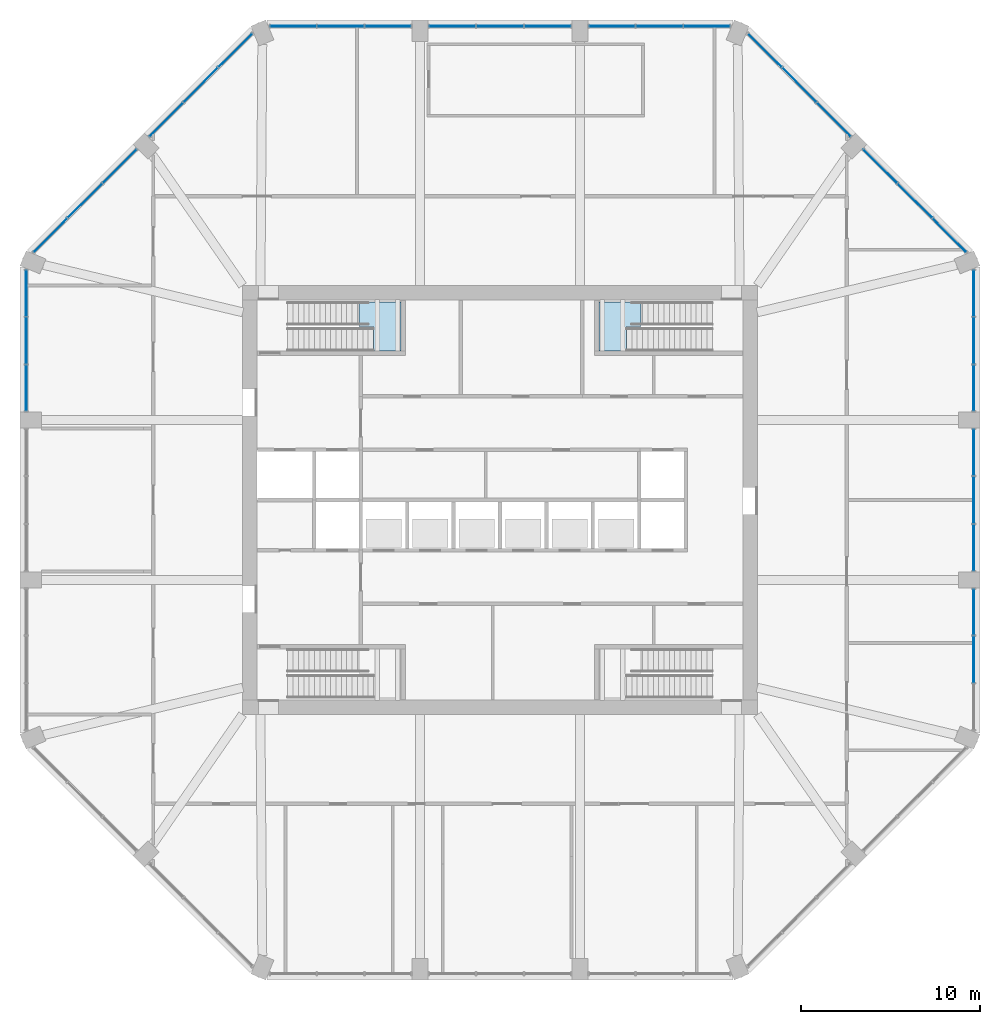
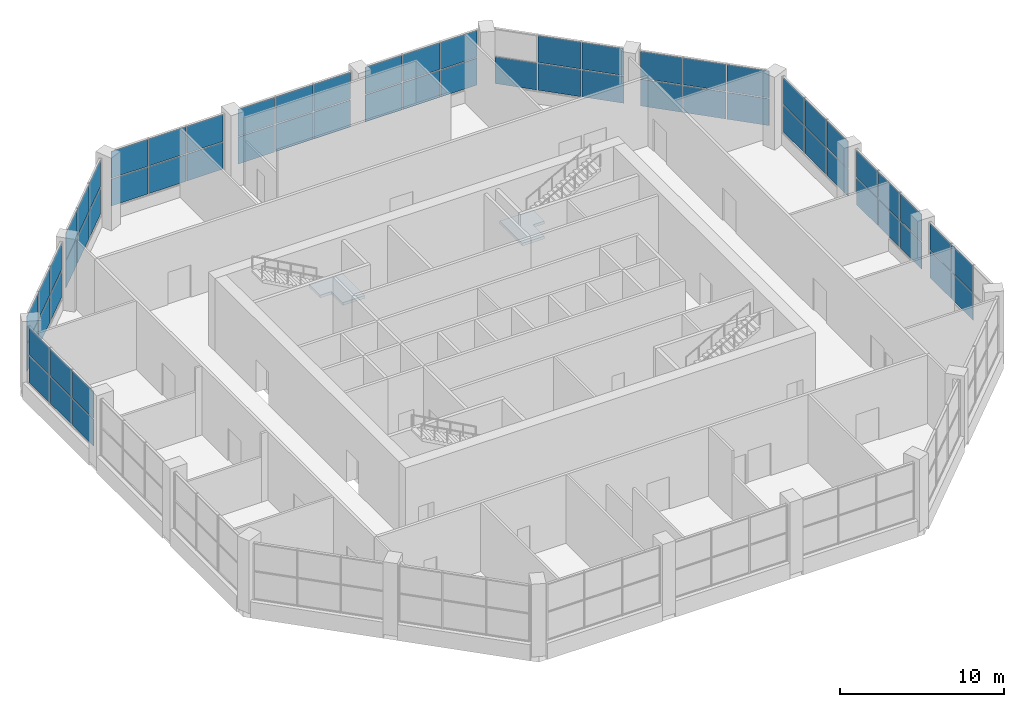
# One storey, part 10 of 16: 63 plates, 2 slabs, 13 elements without a shape of their own.
"""IFC4 building model written with IfcOpenShell, lengths in metres."""

from ifc_helpers import new_model, si_unit, direction, frame, origin, origin_2d, place, context, subcontext, project, spatial, polyline, rectangle, outline, extrude, material, layer, layer_set, type_object, element, aggregate, save


model = new_model("IFC4")

# Units and contexts
model_context = context("Model", 3, precision=1e-05, world=origin(), true_north=direction((0.0, 1.0)))
body_context = subcontext(model_context, "Body", "Model", "MODEL_VIEW")
ifc_project = project(units=[si_unit("LENGTHUNIT", "METRE"), si_unit("AREAUNIT", "SQUARE_METRE"), si_unit("VOLUMEUNIT", "CUBIC_METRE"), si_unit("PLANEANGLEUNIT", "RADIAN"), si_unit("MASSUNIT", "GRAM", prefix="KILO")], contexts=[model_context])

# Site, building, storey
site_placement = place(None, origin())
site = spatial("IfcSite", under=ifc_project, at=site_placement, CompositionType="ELEMENT")
building_placement = place(site_placement, origin())
building = spatial("IfcBuilding", under=site, at=building_placement, Name="Msitu Wima Residences", CompositionType="ELEMENT")
storey_placement = place(building_placement, frame((0.0, 0.0, 156.89990234375)))
storey = spatial("IfcBuildingStorey", under=building, at=storey_placement, Name="L36", CompositionType="ELEMENT", Elevation=156.89990234375)

# Curtain wall, plates
ifc_material_1 = material(Name="Anodised aluminium, bronze finish, solar control laminated double glazing", Category="aluminium")
curtain_wall_type = type_object("IfcCurtainWallType", Name="Curtain wall CW2 sky amenity wall", PredefinedType="NOTDEFINED", material=ifc_material_1)
curtain_wall_1_placement = place(storey_placement, origin())
curtain_wall_1 = element("IfcCurtainWall", 1, at=curtain_wall_1_placement, inside=storey, type_object=curtain_wall_type, Name="Curtain wall CW2 L36 E0", PredefinedType="NOTDEFINED")
ifc_material_2 = material(Name="Solar control laminated double glazing", Category="glass")
ifc_layer_1 = layer(ifc_material_2, 0.0400390625)
ifc_layer_set_1 = layer_set([ifc_layer_1], Name="Solar control laminated double glazing")
plate_type = type_object("IfcPlateType", Name="Glass panel CW2 40", PredefinedType="CURTAIN_PANEL", material=ifc_layer_set_1)
plate_1_placement = place(storey_placement, frame((26.5, -8.918701171875, 0.97509765625), z_axis=(0.0, 0.0, 1.0), x_axis=(0.0, 1.0, 0.0)))
plate_1 = element("IfcPlate", 2, at=plate_1_placement, type_object=plate_type, Name="CW2 panel 2.1", PredefinedType="CURTAIN_PANEL", context=body_context, shape_type="SweptSolid", body=[
    extrude(rectangle(XDim=2.591796875, YDim=0.0400390625, at=origin_2d()), origin(), (0.0, 0.0, 1.0), 1.987548828125),
])
plate_2_placement = place(storey_placement, frame((26.5, -8.918701171875, 3.03759765625), z_axis=(0.0, 0.0, 1.0), x_axis=(0.0, 1.0, 0.0)))
plate_2 = element("IfcPlate", 3, at=plate_2_placement, type_object=plate_type, Name="CW2 panel 2.2", PredefinedType="CURTAIN_PANEL", context=body_context, shape_type="SweptSolid", body=[
    extrude(rectangle(XDim=2.591796875, YDim=0.0400390625, at=origin_2d()), origin(), (0.0, 0.0, 1.0), 1.987548828125),
])
plate_3_placement = place(storey_placement, frame((26.5, -6.270751953125, 0.97509765625), z_axis=(0.0, 0.0, 1.0), x_axis=(0.0, 1.0, 0.0)))
plate_3 = element("IfcPlate", 4, at=plate_3_placement, type_object=plate_type, Name="CW2 panel 3.1", PredefinedType="CURTAIN_PANEL", context=body_context, shape_type="SweptSolid", body=[
    extrude(rectangle(XDim=2.55419921875, YDim=0.0400390625, at=origin_2d()), origin(), (0.0, 0.0, 1.0), 1.987548828125),
])
plate_4_placement = place(storey_placement, frame((26.5, -6.270751953125, 3.03759765625), z_axis=(0.0, 0.0, 1.0), x_axis=(0.0, 1.0, 0.0)))
plate_4 = element("IfcPlate", 5, at=plate_4_placement, type_object=plate_type, Name="CW2 panel 3.2", PredefinedType="CURTAIN_PANEL", context=body_context, shape_type="SweptSolid", body=[
    extrude(rectangle(XDim=2.55419921875, YDim=0.0400390625, at=origin_2d()), origin(), (0.0, 0.0, 1.0), 1.987548828125),
])
aggregate(curtain_wall_1, [plate_1, plate_2, plate_3, plate_4])

curtain_wall_2_placement = place(storey_placement, origin())
curtain_wall_2 = element("IfcCurtainWall", 6, at=curtain_wall_2_placement, inside=storey, type_object=curtain_wall_type, Name="Curtain wall CW2 L36 E1", PredefinedType="NOTDEFINED")
plate_5_placement = place(storey_placement, frame((26.5, -2.660400390625, 0.97509765625), z_axis=(0.0, 0.0, 1.0), x_axis=(0.0, 1.0, 0.0)))
plate_5 = element("IfcPlate", 7, at=plate_5_placement, type_object=plate_type, Name="CW2 panel 1.1", PredefinedType="CURTAIN_PANEL", context=body_context, shape_type="SweptSolid", body=[
    extrude(rectangle(XDim=2.566650390625, YDim=0.0400390625, at=origin_2d()), origin(), (0.0, 0.0, 1.0), 1.987548828125),
])
plate_6_placement = place(storey_placement, frame((26.5, -2.660400390625, 3.03759765625), z_axis=(0.0, 0.0, 1.0), x_axis=(0.0, 1.0, 0.0)))
plate_6 = element("IfcPlate", 8, at=plate_6_placement, type_object=plate_type, Name="CW2 panel 1.2", PredefinedType="CURTAIN_PANEL", context=body_context, shape_type="SweptSolid", body=[
    extrude(rectangle(XDim=2.566650390625, YDim=0.0400390625, at=origin_2d()), origin(), (0.0, 0.0, 1.0), 1.987548828125),
])
plate_7_placement = place(storey_placement, frame((26.5, 0.0, 0.97509765625), z_axis=(0.0, 0.0, 1.0), x_axis=(0.0, 1.0, 0.0)))
plate_7 = element("IfcPlate", 9, at=plate_7_placement, type_object=plate_type, Name="CW2 panel 2.1", PredefinedType="CURTAIN_PANEL", context=body_context, shape_type="SweptSolid", body=[
    extrude(rectangle(XDim=2.60400390625, YDim=0.0400390625, at=origin_2d()), origin(), (0.0, 0.0, 1.0), 1.987548828125),
])
plate_8_placement = place(storey_placement, frame((26.5, 0.0, 3.03759765625), z_axis=(0.0, 0.0, 1.0), x_axis=(0.0, 1.0, 0.0)))
plate_8 = element("IfcPlate", 10, at=plate_8_placement, type_object=plate_type, Name="CW2 panel 2.2", PredefinedType="CURTAIN_PANEL", context=body_context, shape_type="SweptSolid", body=[
    extrude(rectangle(XDim=2.60400390625, YDim=0.0400390625, at=origin_2d()), origin(), (0.0, 0.0, 1.0), 1.987548828125),
])
plate_9_placement = place(storey_placement, frame((26.5, 2.660400390625, 0.97509765625), z_axis=(0.0, 0.0, 1.0), x_axis=(0.0, 1.0, 0.0)))
plate_9 = element("IfcPlate", 11, at=plate_9_placement, type_object=plate_type, Name="CW2 panel 3.1", PredefinedType="CURTAIN_PANEL", context=body_context, shape_type="SweptSolid", body=[
    extrude(rectangle(XDim=2.566650390625, YDim=0.0400390625, at=origin_2d()), origin(), (0.0, 0.0, 1.0), 1.987548828125),
])
plate_10_placement = place(storey_placement, frame((26.5, 2.660400390625, 3.03759765625), z_axis=(0.0, 0.0, 1.0), x_axis=(0.0, 1.0, 0.0)))
plate_10 = element("IfcPlate", 12, at=plate_10_placement, type_object=plate_type, Name="CW2 panel 3.2", PredefinedType="CURTAIN_PANEL", context=body_context, shape_type="SweptSolid", body=[
    extrude(rectangle(XDim=2.566650390625, YDim=0.0400390625, at=origin_2d()), origin(), (0.0, 0.0, 1.0), 1.987548828125),
])
aggregate(curtain_wall_2, [plate_5, plate_6, plate_7, plate_8, plate_9, plate_10])

curtain_wall_3_placement = place(storey_placement, origin())
curtain_wall_3 = element("IfcCurtainWall", 13, at=curtain_wall_3_placement, inside=storey, type_object=curtain_wall_type, Name="Curtain wall CW2 L36 E2", PredefinedType="NOTDEFINED")
plate_11_placement = place(storey_placement, frame((26.5, 6.270751953125, 0.97509765625), z_axis=(0.0, 0.0, 1.0), x_axis=(0.0, 1.0, 0.0)))
plate_11 = element("IfcPlate", 14, at=plate_11_placement, type_object=plate_type, Name="CW2 panel 1.1", PredefinedType="CURTAIN_PANEL", context=body_context, shape_type="SweptSolid", body=[
    extrude(rectangle(XDim=2.55419921875, YDim=0.0400390625, at=origin_2d()), origin(), (0.0, 0.0, 1.0), 1.987548828125),
])
plate_12_placement = place(storey_placement, frame((26.5, 6.270751953125, 3.03759765625), z_axis=(0.0, 0.0, 1.0), x_axis=(0.0, 1.0, 0.0)))
plate_12 = element("IfcPlate", 15, at=plate_12_placement, type_object=plate_type, Name="CW2 panel 1.2", PredefinedType="CURTAIN_PANEL", context=body_context, shape_type="SweptSolid", body=[
    extrude(rectangle(XDim=2.55419921875, YDim=0.0400390625, at=origin_2d()), origin(), (0.0, 0.0, 1.0), 1.987548828125),
])
plate_13_placement = place(storey_placement, frame((26.5, 8.918701171875, 0.97509765625), z_axis=(0.0, 0.0, 1.0), x_axis=(0.0, 1.0, 0.0)))
plate_13 = element("IfcPlate", 16, at=plate_13_placement, type_object=plate_type, Name="CW2 panel 2.1", PredefinedType="CURTAIN_PANEL", context=body_context, shape_type="SweptSolid", body=[
    extrude(rectangle(XDim=2.591796875, YDim=0.0400390625, at=origin_2d()), origin(), (0.0, 0.0, 1.0), 1.987548828125),
])
plate_14_placement = place(storey_placement, frame((26.5, 8.918701171875, 3.03759765625), z_axis=(0.0, 0.0, 1.0), x_axis=(0.0, 1.0, 0.0)))
plate_14 = element("IfcPlate", 17, at=plate_14_placement, type_object=plate_type, Name="CW2 panel 2.2", PredefinedType="CURTAIN_PANEL", context=body_context, shape_type="SweptSolid", body=[
    extrude(rectangle(XDim=2.591796875, YDim=0.0400390625, at=origin_2d()), origin(), (0.0, 0.0, 1.0), 1.987548828125),
])
plate_15_placement = place(storey_placement, frame((26.5, 11.566650390625, 0.97509765625), z_axis=(0.0, 0.0, 1.0), x_axis=(0.0, 1.0, 0.0)))
plate_15 = element("IfcPlate", 18, at=plate_15_placement, type_object=plate_type, Name="CW2 panel 3.1", PredefinedType="CURTAIN_PANEL", context=body_context, shape_type="SweptSolid", body=[
    extrude(rectangle(XDim=2.55419921875, YDim=0.0400390625, at=origin_2d()), origin(), (0.0, 0.0, 1.0), 1.987548828125),
])
plate_16_placement = place(storey_placement, frame((26.5, 11.566650390625, 3.03759765625), z_axis=(0.0, 0.0, 1.0), x_axis=(0.0, 1.0, 0.0)))
plate_16 = element("IfcPlate", 19, at=plate_16_placement, type_object=plate_type, Name="CW2 panel 3.2", PredefinedType="CURTAIN_PANEL", context=body_context, shape_type="SweptSolid", body=[
    extrude(rectangle(XDim=2.55419921875, YDim=0.0400390625, at=origin_2d()), origin(), (0.0, 0.0, 1.0), 1.987548828125),
])
aggregate(curtain_wall_3, [plate_11, plate_12, plate_13, plate_14, plate_15, plate_16])

curtain_wall_4_placement = place(storey_placement, origin())
curtain_wall_4 = element("IfcCurtainWall", 20, at=curtain_wall_4_placement, inside=storey, type_object=curtain_wall_type, Name="Curtain wall CW2 L36 NE0", PredefinedType="NOTDEFINED")
plate_17_placement = place(storey_placement, frame((25.140625, 14.806640625, 0.97509765625), z_axis=(0.0, 0.0, 1.0), x_axis=(-0.707106720591, 0.707106841783, 0.0)))
plate_17 = element("IfcPlate", 21, at=plate_17_placement, type_object=plate_type, Name="CW2 panel 1.1", PredefinedType="CURTAIN_PANEL", context=body_context, shape_type="SweptSolid", body=[
    extrude(rectangle(XDim=2.637939453125, YDim=0.0400390625, at=origin_2d()), origin(), (0.0, 0.0, 1.0), 1.987548828125),
])
plate_18_placement = place(storey_placement, frame((25.140625, 14.806640625, 3.03759765625), z_axis=(0.0, 0.0, 1.0), x_axis=(-0.707106720591, 0.707106841783, 0.0)))
plate_18 = element("IfcPlate", 22, at=plate_18_placement, type_object=plate_type, Name="CW2 panel 1.2", PredefinedType="CURTAIN_PANEL", context=body_context, shape_type="SweptSolid", body=[
    extrude(rectangle(XDim=2.637939453125, YDim=0.0400390625, at=origin_2d()), origin(), (0.0, 0.0, 1.0), 1.987548828125),
])
plate_19_placement = place(storey_placement, frame((23.208984375, 16.73828125, 0.97509765625), z_axis=(0.0, 0.0, 1.0), x_axis=(-0.707106720591, 0.707106841783, 0.0)))
plate_19 = element("IfcPlate", 23, at=plate_19_placement, type_object=plate_type, Name="CW2 panel 2.1", PredefinedType="CURTAIN_PANEL", context=body_context, shape_type="SweptSolid", body=[
    extrude(rectangle(XDim=2.67529296875, YDim=0.0400390625, at=origin_2d()), origin(), (0.0, 0.0, 1.0), 1.987548828125),
])
plate_20_placement = place(storey_placement, frame((23.208984375, 16.73828125, 3.03759765625), z_axis=(0.0, 0.0, 1.0), x_axis=(-0.707106720591, 0.707106841783, 0.0)))
plate_20 = element("IfcPlate", 24, at=plate_20_placement, type_object=plate_type, Name="CW2 panel 2.2", PredefinedType="CURTAIN_PANEL", context=body_context, shape_type="SweptSolid", body=[
    extrude(rectangle(XDim=2.67529296875, YDim=0.0400390625, at=origin_2d()), origin(), (0.0, 0.0, 1.0), 1.987548828125),
])
plate_21_placement = place(storey_placement, frame((21.277587890625, 18.669677734375, 0.97509765625), z_axis=(0.0, 0.0, 1.0), x_axis=(-0.707106720591, 0.707106841783, 0.0)))
plate_21 = element("IfcPlate", 25, at=plate_21_placement, type_object=plate_type, Name="CW2 panel 3.1", PredefinedType="CURTAIN_PANEL", context=body_context, shape_type="SweptSolid", body=[
    extrude(rectangle(XDim=2.637939453125, YDim=0.0400390625, at=origin_2d()), origin(), (0.0, 0.0, 1.0), 1.987548828125),
])
plate_22_placement = place(storey_placement, frame((21.277587890625, 18.669677734375, 3.03759765625), z_axis=(0.0, 0.0, 1.0), x_axis=(-0.707106720591, 0.707106841783, 0.0)))
plate_22 = element("IfcPlate", 26, at=plate_22_placement, type_object=plate_type, Name="CW2 panel 3.2", PredefinedType="CURTAIN_PANEL", context=body_context, shape_type="SweptSolid", body=[
    extrude(rectangle(XDim=2.637939453125, YDim=0.0400390625, at=origin_2d()), origin(), (0.0, 0.0, 1.0), 1.987548828125),
])
aggregate(curtain_wall_4, [plate_17, plate_18, plate_19, plate_20, plate_21, plate_22])

curtain_wall_5_placement = place(storey_placement, origin())
curtain_wall_5 = element("IfcCurtainWall", 27, at=curtain_wall_5_placement, inside=storey, type_object=curtain_wall_type, Name="Curtain wall CW2 L36 NE1", PredefinedType="NOTDEFINED")
plate_23_placement = place(storey_placement, frame((18.669677734375, 21.277587890625, 0.97509765625), z_axis=(0.0, 0.0, 1.0), x_axis=(-0.707106781187, 0.707106781187, 0.0)))
plate_23 = element("IfcPlate", 28, at=plate_23_placement, type_object=plate_type, Name="CW2 panel 1.1", PredefinedType="CURTAIN_PANEL", context=body_context, shape_type="SweptSolid", body=[
    extrude(rectangle(XDim=2.637939453125, YDim=0.0400390625, at=origin_2d()), origin(), (0.0, 0.0, 1.0), 1.987548828125),
])
plate_24_placement = place(storey_placement, frame((18.669677734375, 21.277587890625, 3.03759765625), z_axis=(0.0, 0.0, 1.0), x_axis=(-0.707106781187, 0.707106781187, 0.0)))
plate_24 = element("IfcPlate", 29, at=plate_24_placement, type_object=plate_type, Name="CW2 panel 1.2", PredefinedType="CURTAIN_PANEL", context=body_context, shape_type="SweptSolid", body=[
    extrude(rectangle(XDim=2.637939453125, YDim=0.0400390625, at=origin_2d()), origin(), (0.0, 0.0, 1.0), 1.987548828125),
])
plate_25_placement = place(storey_placement, frame((16.73828125, 23.208984375, 0.97509765625), z_axis=(0.0, 0.0, 1.0), x_axis=(-0.707106781187, 0.707106781187, 0.0)))
plate_25 = element("IfcPlate", 30, at=plate_25_placement, type_object=plate_type, Name="CW2 panel 2.1", PredefinedType="CURTAIN_PANEL", context=body_context, shape_type="SweptSolid", body=[
    extrude(rectangle(XDim=2.67529296875, YDim=0.0400390625, at=origin_2d()), origin(), (0.0, 0.0, 1.0), 1.987548828125),
])
plate_26_placement = place(storey_placement, frame((16.73828125, 23.208984375, 3.03759765625), z_axis=(0.0, 0.0, 1.0), x_axis=(-0.707106781187, 0.707106781187, 0.0)))
plate_26 = element("IfcPlate", 31, at=plate_26_placement, type_object=plate_type, Name="CW2 panel 2.2", PredefinedType="CURTAIN_PANEL", context=body_context, shape_type="SweptSolid", body=[
    extrude(rectangle(XDim=2.67529296875, YDim=0.0400390625, at=origin_2d()), origin(), (0.0, 0.0, 1.0), 1.987548828125),
])
plate_27_placement = place(storey_placement, frame((14.806640625, 25.140625, 0.97509765625), z_axis=(0.0, 0.0, 1.0), x_axis=(-0.707106781187, 0.707106781187, 0.0)))
plate_27 = element("IfcPlate", 32, at=plate_27_placement, type_object=plate_type, Name="CW2 panel 3.1", PredefinedType="CURTAIN_PANEL", context=body_context, shape_type="SweptSolid", body=[
    extrude(rectangle(XDim=2.637939453125, YDim=0.0400390625, at=origin_2d()), origin(), (0.0, 0.0, 1.0), 1.987548828125),
])
aggregate(curtain_wall_5, [plate_23, plate_24, plate_25, plate_26, plate_27])

curtain_wall_6_placement = place(storey_placement, origin())
curtain_wall_6 = element("IfcCurtainWall", 33, at=curtain_wall_6_placement, inside=storey, type_object=curtain_wall_type, Name="Curtain wall CW2 L36 N0", PredefinedType="NOTDEFINED")
plate_28_placement = place(storey_placement, frame((11.566650390625, 26.5, 0.97509765625), z_axis=(0.0, 0.0, 1.0), x_axis=(-1.0, 0.0, 0.0)))
plate_28 = element("IfcPlate", 34, at=plate_28_placement, type_object=plate_type, Name="CW2 panel 1.1", PredefinedType="CURTAIN_PANEL", context=body_context, shape_type="SweptSolid", body=[
    extrude(rectangle(XDim=2.55419921875, YDim=0.0400390625, at=origin_2d()), origin(), (0.0, 0.0, 1.0), 1.987548828125),
])
plate_29_placement = place(storey_placement, frame((11.566650390625, 26.5, 3.03759765625), z_axis=(0.0, 0.0, 1.0), x_axis=(-1.0, 0.0, 0.0)))
plate_29 = element("IfcPlate", 35, at=plate_29_placement, type_object=plate_type, Name="CW2 panel 1.2", PredefinedType="CURTAIN_PANEL", context=body_context, shape_type="SweptSolid", body=[
    extrude(rectangle(XDim=2.55419921875, YDim=0.0400390625, at=origin_2d()), origin(), (0.0, 0.0, 1.0), 1.987548828125),
])
plate_30_placement = place(storey_placement, frame((8.918701171875, 26.5, 0.97509765625), z_axis=(0.0, 0.0, 1.0), x_axis=(-1.0, 0.0, 0.0)))
plate_30 = element("IfcPlate", 36, at=plate_30_placement, type_object=plate_type, Name="CW2 panel 2.1", PredefinedType="CURTAIN_PANEL", context=body_context, shape_type="SweptSolid", body=[
    extrude(rectangle(XDim=2.591796875, YDim=0.0400390625, at=origin_2d()), origin(), (0.0, 0.0, 1.0), 1.987548828125),
])
plate_31_placement = place(storey_placement, frame((8.918701171875, 26.5, 3.03759765625), z_axis=(0.0, 0.0, 1.0), x_axis=(-1.0, 0.0, 0.0)))
plate_31 = element("IfcPlate", 37, at=plate_31_placement, type_object=plate_type, Name="CW2 panel 2.2", PredefinedType="CURTAIN_PANEL", context=body_context, shape_type="SweptSolid", body=[
    extrude(rectangle(XDim=2.591796875, YDim=0.0400390625, at=origin_2d()), origin(), (0.0, 0.0, 1.0), 1.987548828125),
])
plate_32_placement = place(storey_placement, frame((6.270751953125, 26.5, 0.97509765625), z_axis=(0.0, 0.0, 1.0), x_axis=(-1.0, 0.0, 0.0)))
plate_32 = element("IfcPlate", 38, at=plate_32_placement, type_object=plate_type, Name="CW2 panel 3.1", PredefinedType="CURTAIN_PANEL", context=body_context, shape_type="SweptSolid", body=[
    extrude(rectangle(XDim=2.55419921875, YDim=0.0400390625, at=origin_2d()), origin(), (0.0, 0.0, 1.0), 1.987548828125),
])
plate_33_placement = place(storey_placement, frame((6.270751953125, 26.5, 3.03759765625), z_axis=(0.0, 0.0, 1.0), x_axis=(-1.0, 0.0, 0.0)))
plate_33 = element("IfcPlate", 39, at=plate_33_placement, type_object=plate_type, Name="CW2 panel 3.2", PredefinedType="CURTAIN_PANEL", context=body_context, shape_type="SweptSolid", body=[
    extrude(rectangle(XDim=2.55419921875, YDim=0.0400390625, at=origin_2d()), origin(), (0.0, 0.0, 1.0), 1.987548828125),
])
aggregate(curtain_wall_6, [plate_28, plate_29, plate_30, plate_31, plate_32, plate_33])

curtain_wall_7_placement = place(storey_placement, origin())
curtain_wall_7 = element("IfcCurtainWall", 40, at=curtain_wall_7_placement, inside=storey, type_object=curtain_wall_type, Name="Curtain wall CW2 L36 N1", PredefinedType="NOTDEFINED")
plate_34_placement = place(storey_placement, frame((2.660400390625, 26.5, 0.97509765625), z_axis=(0.0, 0.0, 1.0), x_axis=(-1.0, 0.0, 0.0)))
plate_34 = element("IfcPlate", 41, at=plate_34_placement, type_object=plate_type, Name="CW2 panel 1.1", PredefinedType="CURTAIN_PANEL", context=body_context, shape_type="SweptSolid", body=[
    extrude(rectangle(XDim=2.566650390625, YDim=0.0400390625, at=origin_2d()), origin(), (0.0, 0.0, 1.0), 1.987548828125),
])
plate_35_placement = place(storey_placement, frame((2.660400390625, 26.5, 3.03759765625), z_axis=(0.0, 0.0, 1.0), x_axis=(-1.0, 0.0, 0.0)))
plate_35 = element("IfcPlate", 42, at=plate_35_placement, type_object=plate_type, Name="CW2 panel 1.2", PredefinedType="CURTAIN_PANEL", context=body_context, shape_type="SweptSolid", body=[
    extrude(rectangle(XDim=2.566650390625, YDim=0.0400390625, at=origin_2d()), origin(), (0.0, 0.0, 1.0), 1.987548828125),
])
plate_36_placement = place(storey_placement, frame((0.0, 26.5, 0.97509765625), z_axis=(0.0, 0.0, 1.0), x_axis=(-1.0, 0.0, 0.0)))
plate_36 = element("IfcPlate", 43, at=plate_36_placement, type_object=plate_type, Name="CW2 panel 2.1", PredefinedType="CURTAIN_PANEL", context=body_context, shape_type="SweptSolid", body=[
    extrude(rectangle(XDim=2.60400390625, YDim=0.0400390625, at=origin_2d()), origin(), (0.0, 0.0, 1.0), 1.987548828125),
])
plate_37_placement = place(storey_placement, frame((0.0, 26.5, 3.03759765625), z_axis=(0.0, 0.0, 1.0), x_axis=(-1.0, 0.0, 0.0)))
plate_37 = element("IfcPlate", 44, at=plate_37_placement, type_object=plate_type, Name="CW2 panel 2.2", PredefinedType="CURTAIN_PANEL", context=body_context, shape_type="SweptSolid", body=[
    extrude(rectangle(XDim=2.60400390625, YDim=0.0400390625, at=origin_2d()), origin(), (0.0, 0.0, 1.0), 1.987548828125),
])
plate_38_placement = place(storey_placement, frame((-2.660400390625, 26.5, 0.97509765625), z_axis=(0.0, 0.0, 1.0), x_axis=(-1.0, 0.0, 0.0)))
plate_38 = element("IfcPlate", 45, at=plate_38_placement, type_object=plate_type, Name="CW2 panel 3.1", PredefinedType="CURTAIN_PANEL", context=body_context, shape_type="SweptSolid", body=[
    extrude(rectangle(XDim=2.566650390625, YDim=0.0400390625, at=origin_2d()), origin(), (0.0, 0.0, 1.0), 1.987548828125),
])
plate_39_placement = place(storey_placement, frame((-2.660400390625, 26.5, 3.03759765625), z_axis=(0.0, 0.0, 1.0), x_axis=(-1.0, 0.0, 0.0)))
plate_39 = element("IfcPlate", 46, at=plate_39_placement, type_object=plate_type, Name="CW2 panel 3.2", PredefinedType="CURTAIN_PANEL", context=body_context, shape_type="SweptSolid", body=[
    extrude(rectangle(XDim=2.566650390625, YDim=0.0400390625, at=origin_2d()), origin(), (0.0, 0.0, 1.0), 1.987548828125),
])
aggregate(curtain_wall_7, [plate_34, plate_35, plate_36, plate_37, plate_38, plate_39])

curtain_wall_8_placement = place(storey_placement, origin())
curtain_wall_8 = element("IfcCurtainWall", 47, at=curtain_wall_8_placement, inside=storey, type_object=curtain_wall_type, Name="Curtain wall CW2 L36 N2", PredefinedType="NOTDEFINED")
plate_40_placement = place(storey_placement, frame((-6.270751953125, 26.5, 0.97509765625), z_axis=(0.0, 0.0, 1.0), x_axis=(-1.0, 0.0, 0.0)))
plate_40 = element("IfcPlate", 48, at=plate_40_placement, type_object=plate_type, Name="CW2 panel 1.1", PredefinedType="CURTAIN_PANEL", context=body_context, shape_type="SweptSolid", body=[
    extrude(rectangle(XDim=2.55419921875, YDim=0.0400390625, at=origin_2d()), origin(), (0.0, 0.0, 1.0), 1.987548828125),
])
plate_41_placement = place(storey_placement, frame((-6.270751953125, 26.5, 3.03759765625), z_axis=(0.0, 0.0, 1.0), x_axis=(-1.0, 0.0, 0.0)))
plate_41 = element("IfcPlate", 49, at=plate_41_placement, type_object=plate_type, Name="CW2 panel 1.2", PredefinedType="CURTAIN_PANEL", context=body_context, shape_type="SweptSolid", body=[
    extrude(rectangle(XDim=2.55419921875, YDim=0.0400390625, at=origin_2d()), origin(), (0.0, 0.0, 1.0), 1.987548828125),
])
plate_42_placement = place(storey_placement, frame((-8.918701171875, 26.5, 0.97509765625), z_axis=(0.0, 0.0, 1.0), x_axis=(-1.0, 0.0, 0.0)))
plate_42 = element("IfcPlate", 50, at=plate_42_placement, type_object=plate_type, Name="CW2 panel 2.1", PredefinedType="CURTAIN_PANEL", context=body_context, shape_type="SweptSolid", body=[
    extrude(rectangle(XDim=2.591796875, YDim=0.0400390625, at=origin_2d()), origin(), (0.0, 0.0, 1.0), 1.987548828125),
])
plate_43_placement = place(storey_placement, frame((-8.918701171875, 26.5, 3.03759765625), z_axis=(0.0, 0.0, 1.0), x_axis=(-1.0, 0.0, 0.0)))
plate_43 = element("IfcPlate", 51, at=plate_43_placement, type_object=plate_type, Name="CW2 panel 2.2", PredefinedType="CURTAIN_PANEL", context=body_context, shape_type="SweptSolid", body=[
    extrude(rectangle(XDim=2.591796875, YDim=0.0400390625, at=origin_2d()), origin(), (0.0, 0.0, 1.0), 1.987548828125),
])
plate_44_placement = place(storey_placement, frame((-11.566650390625, 26.5, 0.97509765625), z_axis=(0.0, 0.0, 1.0), x_axis=(-1.0, 0.0, 0.0)))
plate_44 = element("IfcPlate", 52, at=plate_44_placement, type_object=plate_type, Name="CW2 panel 3.1", PredefinedType="CURTAIN_PANEL", context=body_context, shape_type="SweptSolid", body=[
    extrude(rectangle(XDim=2.55419921875, YDim=0.0400390625, at=origin_2d()), origin(), (0.0, 0.0, 1.0), 1.987548828125),
])
plate_45_placement = place(storey_placement, frame((-11.566650390625, 26.5, 3.03759765625), z_axis=(0.0, 0.0, 1.0), x_axis=(-1.0, 0.0, 0.0)))
plate_45 = element("IfcPlate", 53, at=plate_45_placement, type_object=plate_type, Name="CW2 panel 3.2", PredefinedType="CURTAIN_PANEL", context=body_context, shape_type="SweptSolid", body=[
    extrude(rectangle(XDim=2.55419921875, YDim=0.0400390625, at=origin_2d()), origin(), (0.0, 0.0, 1.0), 1.987548828125),
])
aggregate(curtain_wall_8, [plate_40, plate_41, plate_42, plate_43, plate_44, plate_45])

curtain_wall_9_placement = place(storey_placement, origin())
curtain_wall_9 = element("IfcCurtainWall", 54, at=curtain_wall_9_placement, inside=storey, type_object=curtain_wall_type, Name="Curtain wall CW2 L36 NW0", PredefinedType="NOTDEFINED")
plate_46_placement = place(storey_placement, frame((-14.806640625, 25.140625, 0.97509765625), z_axis=(0.0, 0.0, 1.0), x_axis=(-0.707106841783, -0.707106720591, 0.0)))
plate_46 = element("IfcPlate", 55, at=plate_46_placement, type_object=plate_type, Name="CW2 panel 1.1", PredefinedType="CURTAIN_PANEL", context=body_context, shape_type="SweptSolid", body=[
    extrude(rectangle(XDim=2.637939453125, YDim=0.0400390625, at=origin_2d()), origin(), (0.0, 0.0, 1.0), 1.987548828125),
])
plate_47_placement = place(storey_placement, frame((-14.806640625, 25.140625, 3.03759765625), z_axis=(0.0, 0.0, 1.0), x_axis=(-0.707106841783, -0.707106720591, 0.0)))
plate_47 = element("IfcPlate", 56, at=plate_47_placement, type_object=plate_type, Name="CW2 panel 1.2", PredefinedType="CURTAIN_PANEL", context=body_context, shape_type="SweptSolid", body=[
    extrude(rectangle(XDim=2.637939453125, YDim=0.0400390625, at=origin_2d()), origin(), (0.0, 0.0, 1.0), 1.987548828125),
])
plate_48_placement = place(storey_placement, frame((-16.73828125, 23.208984375, 0.97509765625), z_axis=(0.0, 0.0, 1.0), x_axis=(-0.707106841783, -0.707106720591, 0.0)))
plate_48 = element("IfcPlate", 57, at=plate_48_placement, type_object=plate_type, Name="CW2 panel 2.1", PredefinedType="CURTAIN_PANEL", context=body_context, shape_type="SweptSolid", body=[
    extrude(rectangle(XDim=2.67529296875, YDim=0.0400390625, at=origin_2d()), origin(), (0.0, 0.0, 1.0), 1.987548828125),
])
plate_49_placement = place(storey_placement, frame((-16.73828125, 23.208984375, 3.03759765625), z_axis=(0.0, 0.0, 1.0), x_axis=(-0.707106841783, -0.707106720591, 0.0)))
plate_49 = element("IfcPlate", 58, at=plate_49_placement, type_object=plate_type, Name="CW2 panel 2.2", PredefinedType="CURTAIN_PANEL", context=body_context, shape_type="SweptSolid", body=[
    extrude(rectangle(XDim=2.67529296875, YDim=0.0400390625, at=origin_2d()), origin(), (0.0, 0.0, 1.0), 1.987548828125),
])
plate_50_placement = place(storey_placement, frame((-18.669677734375, 21.277587890625, 0.97509765625), z_axis=(0.0, 0.0, 1.0), x_axis=(-0.707106841783, -0.707106720591, 0.0)))
plate_50 = element("IfcPlate", 59, at=plate_50_placement, type_object=plate_type, Name="CW2 panel 3.1", PredefinedType="CURTAIN_PANEL", context=body_context, shape_type="SweptSolid", body=[
    extrude(rectangle(XDim=2.637939453125, YDim=0.0400390625, at=origin_2d()), origin(), (0.0, 0.0, 1.0), 1.987548828125),
])
plate_51_placement = place(storey_placement, frame((-18.669677734375, 21.277587890625, 3.03759765625), z_axis=(0.0, 0.0, 1.0), x_axis=(-0.707106841783, -0.707106720591, 0.0)))
plate_51 = element("IfcPlate", 60, at=plate_51_placement, type_object=plate_type, Name="CW2 panel 3.2", PredefinedType="CURTAIN_PANEL", context=body_context, shape_type="SweptSolid", body=[
    extrude(rectangle(XDim=2.637939453125, YDim=0.0400390625, at=origin_2d()), origin(), (0.0, 0.0, 1.0), 1.987548828125),
])
aggregate(curtain_wall_9, [plate_46, plate_47, plate_48, plate_49, plate_50, plate_51])

curtain_wall_10_placement = place(storey_placement, origin())
curtain_wall_10 = element("IfcCurtainWall", 61, at=curtain_wall_10_placement, inside=storey, type_object=curtain_wall_type, Name="Curtain wall CW2 L36 NW1", PredefinedType="NOTDEFINED")
plate_52_placement = place(storey_placement, frame((-21.277587890625, 18.669677734375, 0.97509765625), z_axis=(0.0, 0.0, 1.0), x_axis=(-0.707106781187, -0.707106781187, 0.0)))
plate_52 = element("IfcPlate", 62, at=plate_52_placement, type_object=plate_type, Name="CW2 panel 1.1", PredefinedType="CURTAIN_PANEL", context=body_context, shape_type="SweptSolid", body=[
    extrude(rectangle(XDim=2.637939453125, YDim=0.0400390625, at=origin_2d()), origin(), (0.0, 0.0, 1.0), 1.987548828125),
])
plate_53_placement = place(storey_placement, frame((-21.277587890625, 18.669677734375, 3.03759765625), z_axis=(0.0, 0.0, 1.0), x_axis=(-0.707106781187, -0.707106781187, 0.0)))
plate_53 = element("IfcPlate", 63, at=plate_53_placement, type_object=plate_type, Name="CW2 panel 1.2", PredefinedType="CURTAIN_PANEL", context=body_context, shape_type="SweptSolid", body=[
    extrude(rectangle(XDim=2.637939453125, YDim=0.0400390625, at=origin_2d()), origin(), (0.0, 0.0, 1.0), 1.987548828125),
])
plate_54_placement = place(storey_placement, frame((-23.208984375, 16.73828125, 0.97509765625), z_axis=(0.0, 0.0, 1.0), x_axis=(-0.707106781187, -0.707106781187, 0.0)))
plate_54 = element("IfcPlate", 64, at=plate_54_placement, type_object=plate_type, Name="CW2 panel 2.1", PredefinedType="CURTAIN_PANEL", context=body_context, shape_type="SweptSolid", body=[
    extrude(rectangle(XDim=2.67529296875, YDim=0.0400390625, at=origin_2d()), origin(), (0.0, 0.0, 1.0), 1.987548828125),
])
plate_55_placement = place(storey_placement, frame((-23.208984375, 16.73828125, 3.03759765625), z_axis=(0.0, 0.0, 1.0), x_axis=(-0.707106781187, -0.707106781187, 0.0)))
plate_55 = element("IfcPlate", 65, at=plate_55_placement, type_object=plate_type, Name="CW2 panel 2.2", PredefinedType="CURTAIN_PANEL", context=body_context, shape_type="SweptSolid", body=[
    extrude(rectangle(XDim=2.67529296875, YDim=0.0400390625, at=origin_2d()), origin(), (0.0, 0.0, 1.0), 1.987548828125),
])
plate_56_placement = place(storey_placement, frame((-25.140625, 14.806640625, 0.97509765625), z_axis=(0.0, 0.0, 1.0), x_axis=(-0.707106781187, -0.707106781187, 0.0)))
plate_56 = element("IfcPlate", 66, at=plate_56_placement, type_object=plate_type, Name="CW2 panel 3.1", PredefinedType="CURTAIN_PANEL", context=body_context, shape_type="SweptSolid", body=[
    extrude(rectangle(XDim=2.637939453125, YDim=0.0400390625, at=origin_2d()), origin(), (0.0, 0.0, 1.0), 1.987548828125),
])
plate_57_placement = place(storey_placement, frame((-25.140625, 14.806640625, 3.03759765625), z_axis=(0.0, 0.0, 1.0), x_axis=(-0.707106781187, -0.707106781187, 0.0)))
plate_57 = element("IfcPlate", 67, at=plate_57_placement, type_object=plate_type, Name="CW2 panel 3.2", PredefinedType="CURTAIN_PANEL", context=body_context, shape_type="SweptSolid", body=[
    extrude(rectangle(XDim=2.637939453125, YDim=0.0400390625, at=origin_2d()), origin(), (0.0, 0.0, 1.0), 1.987548828125),
])
aggregate(curtain_wall_10, [plate_52, plate_53, plate_54, plate_55, plate_56, plate_57])

curtain_wall_11_placement = place(storey_placement, origin())
curtain_wall_11 = element("IfcCurtainWall", 68, at=curtain_wall_11_placement, inside=storey, type_object=curtain_wall_type, Name="Curtain wall CW2 L36 W0", PredefinedType="NOTDEFINED")
plate_58_placement = place(storey_placement, frame((-26.5, 11.566650390625, 0.97509765625), z_axis=(0.0, 0.0, 1.0), x_axis=(0.0, -1.0, 0.0)))
plate_58 = element("IfcPlate", 69, at=plate_58_placement, type_object=plate_type, Name="CW2 panel 1.1", PredefinedType="CURTAIN_PANEL", context=body_context, shape_type="SweptSolid", body=[
    extrude(rectangle(XDim=2.55419921875, YDim=0.0400390625, at=origin_2d()), origin(), (0.0, 0.0, 1.0), 1.987548828125),
])
plate_59_placement = place(storey_placement, frame((-26.5, 11.566650390625, 3.03759765625), z_axis=(0.0, 0.0, 1.0), x_axis=(0.0, -1.0, 0.0)))
plate_59 = element("IfcPlate", 70, at=plate_59_placement, type_object=plate_type, Name="CW2 panel 1.2", PredefinedType="CURTAIN_PANEL", context=body_context, shape_type="SweptSolid", body=[
    extrude(rectangle(XDim=2.55419921875, YDim=0.0400390625, at=origin_2d()), origin(), (0.0, 0.0, 1.0), 1.987548828125),
])
plate_60_placement = place(storey_placement, frame((-26.5, 8.918701171875, 0.97509765625), z_axis=(0.0, 0.0, 1.0), x_axis=(0.0, -1.0, 0.0)))
plate_60 = element("IfcPlate", 71, at=plate_60_placement, type_object=plate_type, Name="CW2 panel 2.1", PredefinedType="CURTAIN_PANEL", context=body_context, shape_type="SweptSolid", body=[
    extrude(rectangle(XDim=2.591796875, YDim=0.0400390625, at=origin_2d()), origin(), (0.0, 0.0, 1.0), 1.987548828125),
])
plate_61_placement = place(storey_placement, frame((-26.5, 8.918701171875, 3.03759765625), z_axis=(0.0, 0.0, 1.0), x_axis=(0.0, -1.0, 0.0)))
plate_61 = element("IfcPlate", 72, at=plate_61_placement, type_object=plate_type, Name="CW2 panel 2.2", PredefinedType="CURTAIN_PANEL", context=body_context, shape_type="SweptSolid", body=[
    extrude(rectangle(XDim=2.591796875, YDim=0.0400390625, at=origin_2d()), origin(), (0.0, 0.0, 1.0), 1.987548828125),
])
plate_62_placement = place(storey_placement, frame((-26.5, 6.270751953125, 0.97509765625), z_axis=(0.0, 0.0, 1.0), x_axis=(0.0, -1.0, 0.0)))
plate_62 = element("IfcPlate", 73, at=plate_62_placement, type_object=plate_type, Name="CW2 panel 3.1", PredefinedType="CURTAIN_PANEL", context=body_context, shape_type="SweptSolid", body=[
    extrude(rectangle(XDim=2.55419921875, YDim=0.0400390625, at=origin_2d()), origin(), (0.0, 0.0, 1.0), 1.987548828125),
])
plate_63_placement = place(storey_placement, frame((-26.5, 6.270751953125, 3.03759765625), z_axis=(0.0, 0.0, 1.0), x_axis=(0.0, -1.0, 0.0)))
plate_63 = element("IfcPlate", 74, at=plate_63_placement, type_object=plate_type, Name="CW2 panel 3.2", PredefinedType="CURTAIN_PANEL", context=body_context, shape_type="SweptSolid", body=[
    extrude(rectangle(XDim=2.55419921875, YDim=0.0400390625, at=origin_2d()), origin(), (0.0, 0.0, 1.0), 1.987548828125),
])
aggregate(curtain_wall_11, [plate_58, plate_59, plate_60, plate_61, plate_62, plate_63])

# Stair, slab
ifc_material_3 = material(Name="Concrete C40/50", Category="concrete")
stair_type = type_object("IfcStairType", Name="Exit stair ES1636-130", PredefinedType="HALF_TURN_STAIR", material=ifc_material_3)
stair_1_placement = place(storey_placement, origin())
stair_1 = element("IfcStair", 75, at=stair_1_placement, inside=storey, type_object=stair_type, Name="Exit stair 1", PredefinedType="HALF_TURN_STAIR")
ifc_layer_2 = layer(ifc_material_3, 0.199951171875)
ifc_layer_set_2 = layer_set([ifc_layer_2], Name="Concrete C40/50")
slab_type = type_object("IfcSlabType", Name="Stair landing SL200", PredefinedType="LANDING", material=ifc_layer_set_2)
slab_1_placement = place(storey_placement, frame((0.0, 0.0, 2.58203125)))
slab_1 = element("IfcSlab", 76, at=slab_1_placement, type_object=slab_type, Name="S1 landing 1", PredefinedType="LANDING", context=body_context, shape_type="SweptSolid", body=[
    extrude(outline(polyline([(-5.52490234375, 8.324951171875), (-7.075439453125, 8.324951171875), (-7.075439453125, 9.699951171875), (-7.875, 9.699951171875), (-7.875, 11.074951171875), (-5.52490234375, 11.074951171875), (-5.52490234375, 8.324951171875)])), origin(), (0.0, 0.0, 1.0), 0.199951171875),
])
aggregate(stair_1, [slab_1])

stair_2_placement = place(storey_placement, origin())
stair_2 = element("IfcStair", 77, at=stair_2_placement, inside=storey, type_object=stair_type, Name="Exit stair 3", PredefinedType="HALF_TURN_STAIR")
slab_2_placement = place(storey_placement, frame((0.0, 0.0, 2.58203125)))
slab_2 = element("IfcSlab", 78, at=slab_2_placement, type_object=slab_type, Name="S3 landing 1", PredefinedType="LANDING", context=body_context, shape_type="SweptSolid", body=[
    extrude(outline(polyline([(5.52490234375, 8.324951171875), (7.075439453125, 8.324951171875), (7.075439453125, 9.699951171875), (7.875, 9.699951171875), (7.875, 11.074951171875), (5.52490234375, 11.074951171875), (5.52490234375, 8.324951171875)])), origin(), (0.0, 0.0, 1.0), 0.199951171875),
])
aggregate(stair_2, [slab_2])

save(model, "model.ifc")
